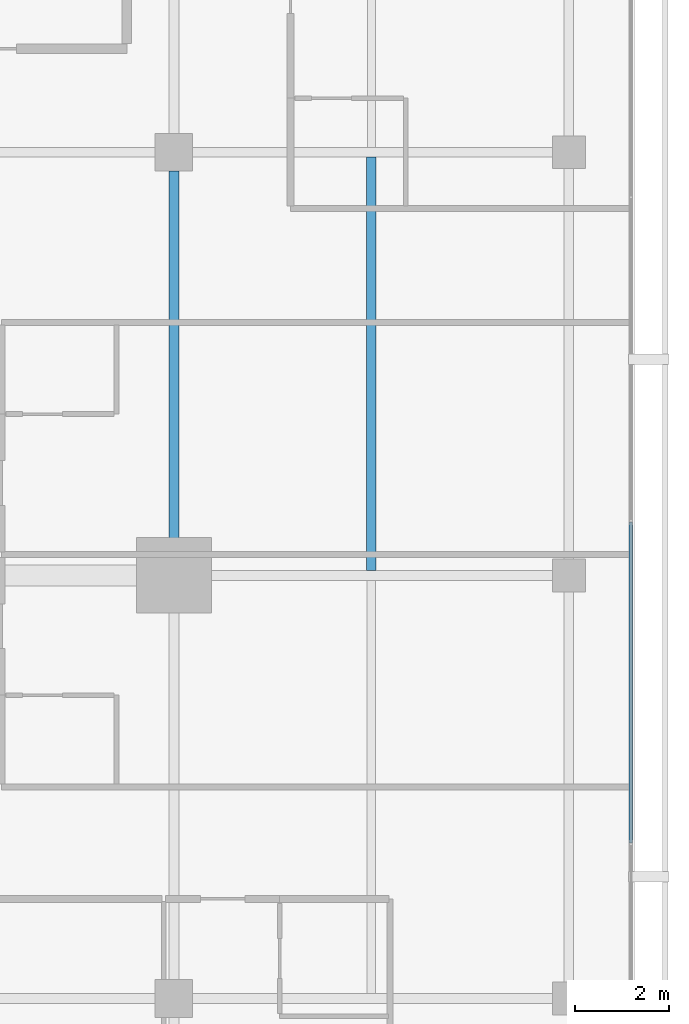
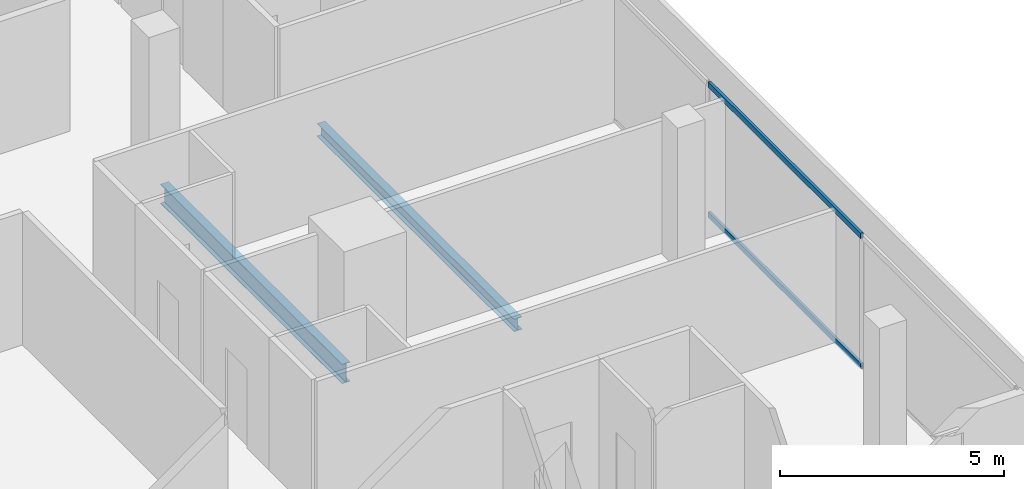
# One storey, part 13 of 26: 2 beams, 2 members, 1 element without a shape of its own.
"""IFC4 building model written with IfcOpenShell, lengths in metres."""

import ifcopenshell
import ifcopenshell.guid

model = None  # the IFC model being written
_history = None  # IfcOwnerHistory: only IFC2X3 demands one
_inside = {}  # id of a spatial element -> (the spatial element, [elements in it])
_under = {}  # id of a project, library or spatial element -> (it, [spatial elements below it])
_declared = {}  # id of a project -> (the project, [libraries it declares])
_typed = {}  # id of a type object -> (the type object, [elements of that type])
_made_of = {}  # id of a material, layer set ... -> (it, [elements and type objects made of it])


def new_model(schema):
    """Start an empty IFC model of exactly this schema.

    Asked for "IFC4X3", IfcOpenShell would pick the latest addendum, in which some entities
    have other attributes; the version numbers below select the first issue.
    IFC2X3 requires an IfcOwnerHistory on every rooted entity: one is made here for all.
    """
    global model, _history
    if schema == "IFC4X3":
        model = ifcopenshell.file(schema_version=(4, 3, 0, 0))
    else:
        model = ifcopenshell.file(schema=schema)
    _inside.clear()
    _under.clear()
    _declared.clear()
    _typed.clear()
    _made_of.clear()
    _history = None
    if model.schema == "IFC2X3":
        org = make("IfcOrganization", Name="unknown")
        user = make(
            "IfcPersonAndOrganization",
            ThePerson=make("IfcPerson", FamilyName="unknown"),
            TheOrganization=org,
        )
        app = make(
            "IfcApplication",
            ApplicationDeveloper=org,
            Version="unknown",
            ApplicationFullName="unknown",
            ApplicationIdentifier="unknown",
        )
        _history = make(
            "IfcOwnerHistory",
            OwningUser=user,
            OwningApplication=app,
            ChangeAction="ADDED",
            CreationDate=0,
        )
    return model


def make(cls, **values):
    """One entity of the class cls with the attributes given. An attribute that is None is left unset."""
    return model.create_entity(
        cls, **{name: value for name, value in values.items() if value is not None}
    )


def rooted(cls, **values):
    """An entity with a GlobalId (a new one), such as an element, a storey or a relation."""
    return make(cls, GlobalId=ifcopenshell.guid.new(), OwnerHistory=_history, **values)


def si_unit(unit_type, name, prefix=None):
    """IfcSIUnit, for example si_unit("LENGTHUNIT", "METRE", prefix="MILLI")."""
    return make("IfcSIUnit", UnitType=unit_type, Prefix=prefix, Name=name)


def assignment(units):
    """IfcUnitAssignment: the units of a project."""
    return None if units is None else make("IfcUnitAssignment", Units=units)


def point(xyz):
    """IfcCartesianPoint."""
    return None if xyz is None else make("IfcCartesianPoint", Coordinates=xyz)


def direction(xyz):
    """IfcDirection."""
    return None if xyz is None else make("IfcDirection", DirectionRatios=xyz)


def frame(location, z_axis=None, x_axis=None):
    """IfcAxis2Placement3D, a coordinate frame: its origin and axes. An axis left out is left unset."""
    return make(
        "IfcAxis2Placement3D",
        Location=point(location),
        Axis=direction(z_axis),
        RefDirection=direction(x_axis),
    )


def frame_2d(location, x_axis=None):
    """IfcAxis2Placement2D, a coordinate frame in the plane: its origin and x axis."""
    return make(
        "IfcAxis2Placement2D", Location=point(location), RefDirection=direction(x_axis)
    )


def origin():
    """The frame at (0, 0, 0) with its axes left unset."""
    return frame((0.0, 0.0, 0.0))


def origin_2d():
    """The frame at (0, 0) in the plane with its x axis left unset."""
    return frame_2d((0.0, 0.0))


def place(relative_to, where):
    """IfcLocalPlacement: puts the frame where relative to a parent placement (None: the world)."""
    return make(
        "IfcLocalPlacement", PlacementRelTo=relative_to, RelativePlacement=where
    )


def context(
    kind, dimensions, precision=None, world=None, true_north=None, identifier=None
):
    """IfcGeometricRepresentationContext, for example the 3D "Model" context."""
    return make(
        "IfcGeometricRepresentationContext",
        ContextIdentifier=identifier,
        ContextType=kind,
        CoordinateSpaceDimension=dimensions,
        Precision=precision,
        WorldCoordinateSystem=world,
        TrueNorth=true_north,
    )


def subcontext(parent, identifier, kind, view, scale=None):
    """IfcGeometricRepresentationSubContext, for example "Body" below "Model"."""
    return make(
        "IfcGeometricRepresentationSubContext",
        ContextIdentifier=identifier,
        ContextType=kind,
        ParentContext=parent,
        TargetScale=scale,
        TargetView=view,
    )


def project(units=None, contexts=None):
    """IfcProject with its units and contexts."""
    return rooted(
        "IfcProject",
        Name="project",
        RepresentationContexts=contexts,
        UnitsInContext=assignment(units),
    )


def spatial(cls, under=None, at=None, **own):
    """A site, building, storey or space (cls), placed at a placement, below another one or the project."""
    s = rooted(cls, ObjectPlacement=at, **own)
    if under is not None:
        _under.setdefault(under.id(), (under, []))[1].append(s)
    return s


def profile(cls, at=None, kind="AREA", **sizes):
    """A parametric profile (cls). Its sizes go by their IFC names, for example OverallWidth=200.0."""
    return make(cls, ProfileType=kind, Position=at, **sizes)


def hollow_rectangle(**sizes):
    """IfcRectangleHollowProfileDef."""
    return profile("IfcRectangleHollowProfileDef", **sizes)


def i_section(**sizes):
    """IfcIShapeProfileDef."""
    return profile("IfcIShapeProfileDef", **sizes)


def extrude(swept, where, along, depth):
    """IfcExtrudedAreaSolid: the profile swept, set in the frame where, extruded along a direction by depth."""
    return make(
        "IfcExtrudedAreaSolid",
        SweptArea=swept,
        Position=where,
        ExtrudedDirection=direction(along),
        Depth=depth,
    )


def shape(context_of_items, identifier, shape_type, items):
    """IfcShapeRepresentation: the items that make up one representation, for example the "Body"."""
    return make(
        "IfcShapeRepresentation",
        ContextOfItems=context_of_items,
        RepresentationIdentifier=identifier,
        RepresentationType=shape_type,
        Items=items,
    )


def material(Name=None, Category=None):
    """IfcMaterial."""
    return make("IfcMaterial", Name=Name, Category=Category)


def layer(
    of_material, thickness, ventilated=None, Name=None, Category=None, Priority=None
):
    """IfcMaterialLayer: one layer of a wall or slab, of a material (None: an air gap)."""
    return make(
        "IfcMaterialLayer",
        Material=of_material,
        LayerThickness=thickness,
        IsVentilated=ventilated,
        Name=Name,
        Category=Category,
        Priority=Priority,
    )


def layer_set(layers, Name=None):
    """IfcMaterialLayerSet."""
    return make("IfcMaterialLayerSet", MaterialLayers=layers, LayerSetName=Name)


def material_profile(
    of_material, cross_section, Name=None, Category=None, Priority=None
):
    """IfcMaterialProfile: a cross section and its material."""
    return make(
        "IfcMaterialProfile",
        Name=Name,
        Material=of_material,
        Profile=cross_section,
        Priority=Priority,
        Category=Category,
    )


def profile_set(profiles, Name=None, composite=None):
    """IfcMaterialProfileSet."""
    return make(
        "IfcMaterialProfileSet",
        Name=Name,
        MaterialProfiles=profiles,
        CompositeProfile=composite,
    )


def made_of(thing, what):
    """Note that an element or type object is made of a material, layer set ...; save() writes the relation."""
    if what is not None:
        _made_of.setdefault(what.id(), (what, []))[1].append(thing)
    return thing


def type_object(cls, material=None, **own):
    """A type object (cls), such as IfcWallType, which elements share."""
    return made_of(rooted(cls, **own), material)


def element(
    cls,
    number,
    at=None,
    inside=None,
    cuts=None,
    type_object=None,
    material=None,
    context=None,
    identifier="Body",
    shape_type=None,
    held_by="IfcProductDefinitionShape",
    body=None,
    shapes=None,
    **own,
):
    """One element of the class cls, such as IfcWall. Its Tag is "e" and its number.

    at: its placement. inside: the storey or other place that contains it. cuts: it is an
    opening in that element (IfcRelVoidsElement). A single representation is given by context,
    identifier, shape_type and body (its items); several are given by shapes. held_by: the class
    of the entity that holds the representations. save() writes the other relations.
    """
    e = rooted(cls, Tag="e%d" % number, ObjectPlacement=at, **own)
    if body is not None:
        shapes = [shape(context, identifier, shape_type, body)]
    if shapes is not None:
        e.Representation = make(held_by, Representations=shapes)
    if inside is not None:
        _inside.setdefault(inside.id(), (inside, []))[1].append(e)
    if cuts is not None:
        rooted(
            "IfcRelVoidsElement", RelatingBuildingElement=cuts, RelatedOpeningElement=e
        )
    if type_object is not None:
        _typed.setdefault(type_object.id(), (type_object, []))[1].append(e)
    return made_of(e, material)


def aggregate(whole, parts):
    """IfcRelAggregates: a whole, such as a stair, and the parts it consists of."""
    return rooted("IfcRelAggregates", RelatingObject=whole, RelatedObjects=parts)


def save(model, path):
    """Write the relations noted so far, then the file.

    IfcRelAggregates (storeys below a building ...), IfcRelContainedInSpatialStructure (elements
    in a storey), IfcRelDefinesByType, IfcRelAssociatesMaterial and IfcRelDeclares: one each for
    every whole, place, type object, material and project.
    """
    for whole, parts in _under.values():
        aggregate(whole, parts)
    for where, things in _inside.values():
        rooted(
            "IfcRelContainedInSpatialStructure",
            RelatedElements=things,
            RelatingStructure=where,
        )
    for kind, things in _typed.values():
        rooted("IfcRelDefinesByType", RelatedObjects=things, RelatingType=kind)
    for what, things in _made_of.values():
        rooted("IfcRelAssociatesMaterial", RelatedObjects=things, RelatingMaterial=what)
    for by, libraries in _declared.values():
        rooted("IfcRelDeclares", RelatingContext=by, RelatedDefinitions=libraries)
    model.write(path)


model = new_model("IFC4")

# Units and contexts
model_context = context("Model", 3, precision=1e-05, world=origin(), true_north=direction((0.0, 1.0)))
body_context = subcontext(model_context, "Body", "Model", "MODEL_VIEW")
ifc_project = project(units=[si_unit("LENGTHUNIT", "METRE"), si_unit("AREAUNIT", "SQUARE_METRE"), si_unit("VOLUMEUNIT", "CUBIC_METRE"), si_unit("PLANEANGLEUNIT", "RADIAN"), si_unit("MASSUNIT", "GRAM", prefix="KILO")], contexts=[model_context])

# Site, building, storey
site_placement = place(None, origin())
site = spatial("IfcSite", under=ifc_project, at=site_placement, CompositionType="ELEMENT")
building_placement = place(site_placement, origin())
building = spatial("IfcBuilding", under=site, at=building_placement, Name="Maruvema Waterfront Hotel and Observation Tower", CompositionType="ELEMENT")
storey_placement = place(building_placement, frame((0.0, 0.0, 258.64990234375)))
storey = spatial("IfcBuildingStorey", under=building, at=storey_placement, Name="L63", CompositionType="ELEMENT", Elevation=258.64990234375)

# Curtain wall, members
ifc_material_1 = material(Name="Anodised bronze aluminium and solar-control low-E IGU", Category="aluminium")
ifc_layer = layer(ifc_material_1, 0.159912109375, Name="Zone 3 Champagne Inner Thermal Curtain Wall System CW-04")
ifc_layer_set = layer_set([ifc_layer], Name="Anodised bronze aluminium and solar-control low-E IGU")
curtain_wall_type = type_object("IfcCurtainWallType", Name="Zone 3 Champagne Inner Thermal Curtain Wall System CW-04", PredefinedType="USERDEFINED", material=ifc_layer_set)
curtain_wall_placement = place(storey_placement, origin())
curtain_wall = element("IfcCurtainWall", 1, at=curtain_wall_placement, inside=storey, type_object=curtain_wall_type, Name="L63 Curtain Wall CW-L63-E", ObjectType="UNITISED CURTAIN WALL", PredefinedType="USERDEFINED")
ifc_material_2 = material(Name="Anodised architectural bronze aluminium", Category="aluminium")
ifc_material_profile_1 = material_profile(ifc_material_2, hollow_rectangle(XDim=0.070068359375, YDim=0.14990234375, WallThickness=0.00390625, at=origin_2d()), Name="ALU-T70x150")
ifc_profile_set_1 = profile_set([ifc_material_profile_1], Name="Anodised architectural bronze aluminium")
member_type = type_object("IfcMemberType", Name="Curtain Wall Horizontal Transom ALU-T70x150", PredefinedType="USERDEFINED", material=ifc_profile_set_1)
member_1_placement = place(storey_placement, frame((60.1201171875, 21.31005859375, 0.030029296875), z_axis=(0.0, 1.0, 0.0), x_axis=(-1.0, 0.0, 0.0)))
member_1 = element("IfcMember", 2, at=member_1_placement, type_object=member_type, Name="CW-04 transom 2.1", ObjectType="TRANSOM", PredefinedType="USERDEFINED", context=body_context, shape_type="SweptSolid", body=[
    extrude(hollow_rectangle(XDim=0.070068359375, YDim=0.14990234375, WallThickness=0.00390625, at=origin_2d()), origin(), (0.0, 0.0, 1.0), 6.81982421875),
])
member_2_placement = place(storey_placement, frame((60.1201171875, 21.31005859375, 3.580078125), z_axis=(0.0, 1.0, 0.0), x_axis=(-1.0, 0.0, 0.0)))
member_2 = element("IfcMember", 3, at=member_2_placement, type_object=member_type, Name="CW-04 transom 2.2", ObjectType="TRANSOM", PredefinedType="USERDEFINED", context=body_context, shape_type="SweptSolid", body=[
    extrude(hollow_rectangle(XDim=0.070068359375, YDim=0.14990234375, WallThickness=0.00390625, at=origin_2d()), origin(), (0.0, 0.0, 1.0), 6.81982421875),
])
aggregate(curtain_wall, [member_1, member_2])

# Beams
ifc_material_3 = material(Name="Steel ASTM A572 Grade 50", Category="steel")
ifc_material_profile_2 = material_profile(ifc_material_3, i_section(OverallWidth=0.208984375, OverallDepth=0.532958984375, WebThickness=0.01025390625, FlangeThickness=0.015625, FilletRadius=0.014892578125, at=origin_2d()), Name="W530x92.0")
ifc_profile_set_2 = profile_set([ifc_material_profile_2], Name="Steel ASTM A572 Grade 50")
beam_type_1 = type_object("IfcBeamType", Name="Primary Floor Girder W530x92.0", PredefinedType="BEAM", material=ifc_profile_set_2)
beam_1_placement = place(storey_placement, frame((50.39990234375, 27.5, -0.50634765625), z_axis=(0.0, 1.0, 0.0), x_axis=(-1.0, 0.0, 0.0)))
element("IfcBeam", 4, at=beam_1_placement, inside=storey, type_object=beam_type_1, Name="L63 Floor Girder NS-14", PredefinedType="BEAM", context=body_context, shape_type="SweptSolid", body=[
    extrude(i_section(OverallWidth=0.208984375, OverallDepth=0.532958984375, WebThickness=0.01025390625, FlangeThickness=0.015625, FilletRadius=0.014892578125, at=origin_2d()), origin(), (0.0, 0.0, 1.0), 8.10009765625),
])
ifc_material_4 = material(Name="Steel ASTM A572 Grade 50", Category="steel")
ifc_material_profile_3 = material_profile(ifc_material_4, i_section(OverallWidth=0.202880859375, OverallDepth=0.346923828125, WebThickness=0.0078125, FlangeThickness=0.013427734375, FilletRadius=0.014892578125, at=origin_2d()), Name="W360x64.0")
ifc_profile_set_3 = profile_set([ifc_material_profile_3], Name="Steel ASTM A572 Grade 50")
beam_type_2 = type_object("IfcBeamType", Name="Secondary Floor Joist W360x64.0", PredefinedType="JOIST", material=ifc_profile_set_3)
beam_2_placement = place(storey_placement, frame((54.60009765625, 27.1044921875, -0.413330078125), z_axis=(0.0, 1.0, 0.0), x_axis=(-1.0, 0.0, 0.0)))
element("IfcBeam", 5, at=beam_2_placement, inside=storey, type_object=beam_type_2, Name="L63 Secondary Floor Joist JS-08", PredefinedType="JOIST", context=body_context, shape_type="SweptSolid", body=[
    extrude(i_section(OverallWidth=0.202880859375, OverallDepth=0.346923828125, WebThickness=0.0078125, FlangeThickness=0.013427734375, FilletRadius=0.014892578125, at=origin_2d()), origin(), (0.0, 0.0, 1.0), 8.791015625),
])

save(model, "model.ifc")
